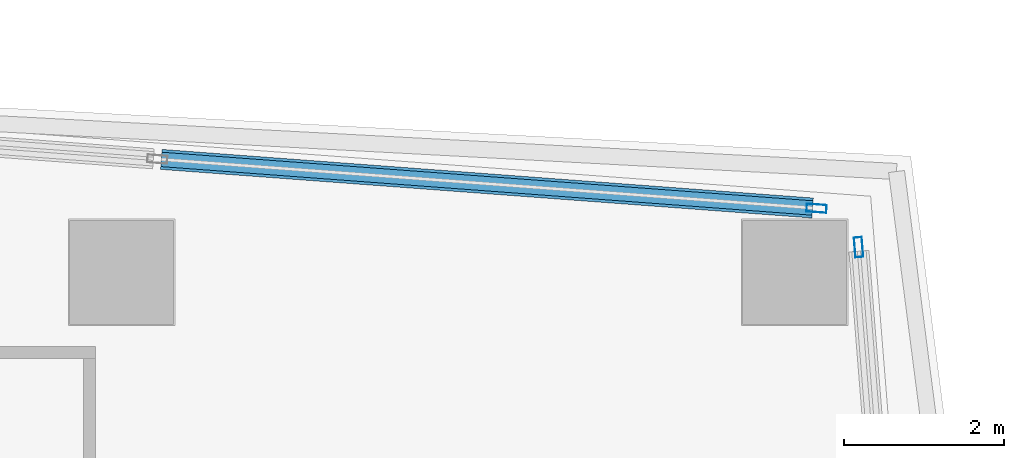
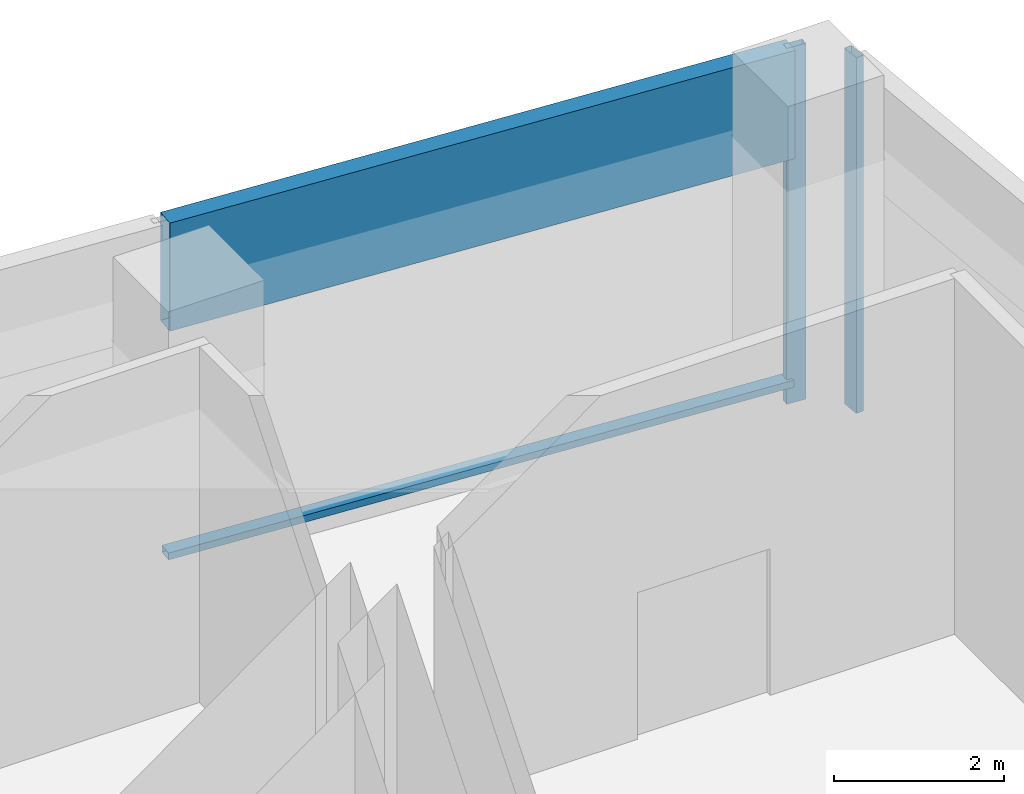
# One storey, part 10 of 22: 4 members, 2 elements without a shape of their own.
"""IFC4 building model written with IfcOpenShell, lengths in metres."""

from ifc_helpers import new_model, si_unit, direction, frame, origin, origin_2d, place, context, subcontext, project, spatial, hollow_rectangle, extrude, material, material_profile, profile_set, type_object, element, aggregate, save


model = new_model("IFC4")

# Units and contexts
model_context = context("Model", 3, precision=1e-05, world=origin(), true_north=direction((0.0, 1.0)))
body_context = subcontext(model_context, "Body", "Model", "MODEL_VIEW")
ifc_project = project(units=[si_unit("LENGTHUNIT", "METRE"), si_unit("AREAUNIT", "SQUARE_METRE"), si_unit("VOLUMEUNIT", "CUBIC_METRE"), si_unit("PLANEANGLEUNIT", "RADIAN"), si_unit("MASSUNIT", "GRAM", prefix="KILO")], contexts=[model_context])

# Site, building, storey
site_placement = place(None, origin())
site = spatial("IfcSite", under=ifc_project, at=site_placement, CompositionType="ELEMENT")
building_placement = place(site_placement, origin())
building = spatial("IfcBuilding", under=site, at=building_placement, Name="Rekha Terrace Tower", CompositionType="ELEMENT")
storey_placement = place(building_placement, frame((0.0, 0.0, 291.35009765625)))
storey = spatial("IfcBuildingStorey", under=building, at=storey_placement, Name="L74", CompositionType="ELEMENT", Elevation=291.35009765625)

# Curtain wall, member
ifc_material_1 = material(Name="Aluminium framing", Category="aluminium")
curtain_wall_type = type_object("IfcCurtainWallType", Name="CW6 observation glazing", PredefinedType="USERDEFINED", material=ifc_material_1)
curtain_wall_1_placement = place(storey_placement, origin())
curtain_wall_1 = element("IfcCurtainWall", 1, at=curtain_wall_1_placement, inside=storey, type_object=curtain_wall_type, Name="CW6 observation curtain wall", ObjectType="OBSERVATION CURTAIN WALL", PredefinedType="USERDEFINED")
ifc_material_2 = material(Name="Aluminium mullion section", Category="aluminium")
ifc_material_profile_1 = material_profile(ifc_material_2, hollow_rectangle(XDim=0.10009765625, YDim=0.25, WallThickness=0.00390625, at=origin_2d()), Name="AL RHS 100x250")
ifc_profile_set_1 = profile_set([ifc_material_profile_1], Name="Aluminium mullion section")
member_type_1 = type_object("IfcMemberType", Name="CW6 mullion RHS 100 x 250", PredefinedType="MULLION", material=ifc_profile_set_1)
member_1_placement = place(storey_placement, frame((59.60009765625, 50.714111328125, 0.0), z_axis=(0.0, 0.0, 1.0), x_axis=(-0.996830141798, -0.079559213191, 0.0)))
member_1 = element("IfcMember", 2, at=member_1_placement, type_object=member_type_1, Name="CW6 mullion 3", PredefinedType="MULLION", context=body_context, shape_type="SweptSolid", body=[
    extrude(hollow_rectangle(XDim=0.10009765625, YDim=0.25, WallThickness=0.00390625, at=origin_2d()), origin(), (0.0, 0.0, 1.0), 5.099853515625),
])
aggregate(curtain_wall_1, [member_1])

# Curtain wall, members
curtain_wall_2_placement = place(storey_placement, origin())
curtain_wall_2 = element("IfcCurtainWall", 3, at=curtain_wall_2_placement, inside=storey, type_object=curtain_wall_type, Name="CW6 observation curtain wall", ObjectType="OBSERVATION CURTAIN WALL", PredefinedType="USERDEFINED")
member_2_placement = place(storey_placement, frame((59.0751953125, 51.19970703125, 0.0), z_axis=(0.0, 0.0, 1.0), x_axis=(-0.074414111615, -0.997227426414, 0.0)))
member_2 = element("IfcMember", 4, at=member_2_placement, type_object=member_type_1, Name="CW6 mullion 1", PredefinedType="MULLION", context=body_context, shape_type="SweptSolid", body=[
    extrude(hollow_rectangle(XDim=0.10009765625, YDim=0.25, WallThickness=0.00390625, at=origin_2d()), origin(), (0.0, 0.0, 1.0), 5.099853515625),
])
ifc_material_3 = material(Name="Insulated aluminium spandrel box", Category="aluminium")
ifc_material_profile_2 = material_profile(ifc_material_3, hollow_rectangle(XDim=0.25, YDim=1.550048828125, WallThickness=0.0029296875, at=origin_2d()), Name="AL SPANDREL BOX 250x1550")
ifc_profile_set_2 = profile_set([ifc_material_profile_2], Name="Insulated aluminium spandrel box")
member_type_2 = type_object("IfcMemberType", Name="CW6 spandrel transom 250 x 1550", PredefinedType="USERDEFINED", material=ifc_profile_set_2)
member_3_placement = place(storey_placement, frame((59.025146484375, 51.20361328125, 4.324951171875), z_axis=(-0.997228385869, 0.074401252793, 0.0), x_axis=(-0.074401252793, -0.997228385869, 0.0)))
member_3 = element("IfcMember", 5, at=member_3_placement, type_object=member_type_2, Name="CW6 spandrel transom 1", ObjectType="TRANSOM", PredefinedType="USERDEFINED", context=body_context, shape_type="SweptSolid", body=[
    extrude(hollow_rectangle(XDim=0.25, YDim=1.550048828125, WallThickness=0.0029296875, at=origin_2d()), origin(), (0.0, 0.0, 1.0), 8.151123046875),
])
ifc_material_4 = material(Name="Aluminium transom section", Category="aluminium")
ifc_material_profile_3 = material_profile(ifc_material_4, hollow_rectangle(XDim=0.179931640625, YDim=0.10009765625, WallThickness=0.0029296875, at=origin_2d()), Name="AL RHS 180x100")
ifc_profile_set_3 = profile_set([ifc_material_profile_3], Name="Aluminium transom section")
member_type_3 = type_object("IfcMemberType", Name="CW6 transom RHS 100 x 180", PredefinedType="USERDEFINED", material=ifc_profile_set_3)
member_4_placement = place(storey_placement, frame((59.025146484375, 51.20361328125, 0.2998046875), z_axis=(-0.997228385869, 0.074401252793, 0.0), x_axis=(-0.074401252793, -0.997228385869, 0.0)))
member_4 = element("IfcMember", 6, at=member_4_placement, type_object=member_type_3, Name="CW6 transom 1.2", ObjectType="TRANSOM", PredefinedType="USERDEFINED", context=body_context, shape_type="SweptSolid", body=[
    extrude(hollow_rectangle(XDim=0.179931640625, YDim=0.10009765625, WallThickness=0.0029296875, at=origin_2d()), origin(), (0.0, 0.0, 1.0), 8.151123046875),
])
aggregate(curtain_wall_2, [member_2, member_4, member_3])

save(model, "model.ifc")
